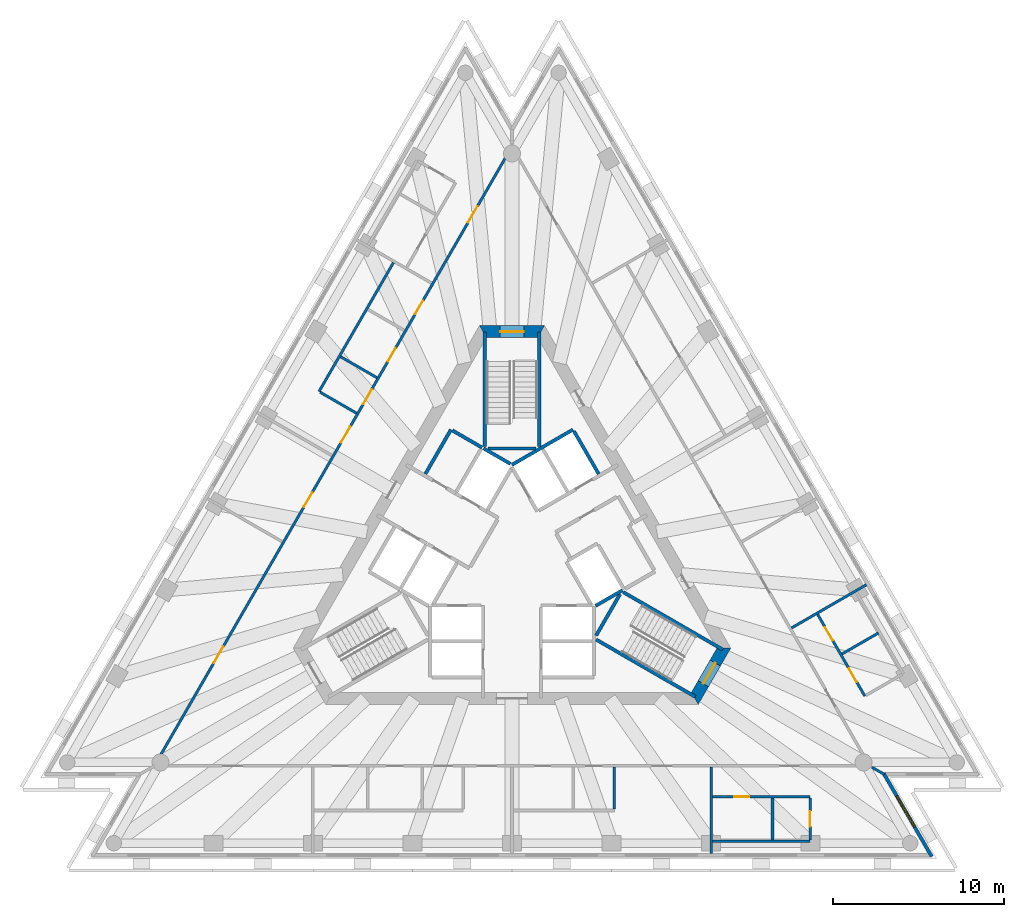
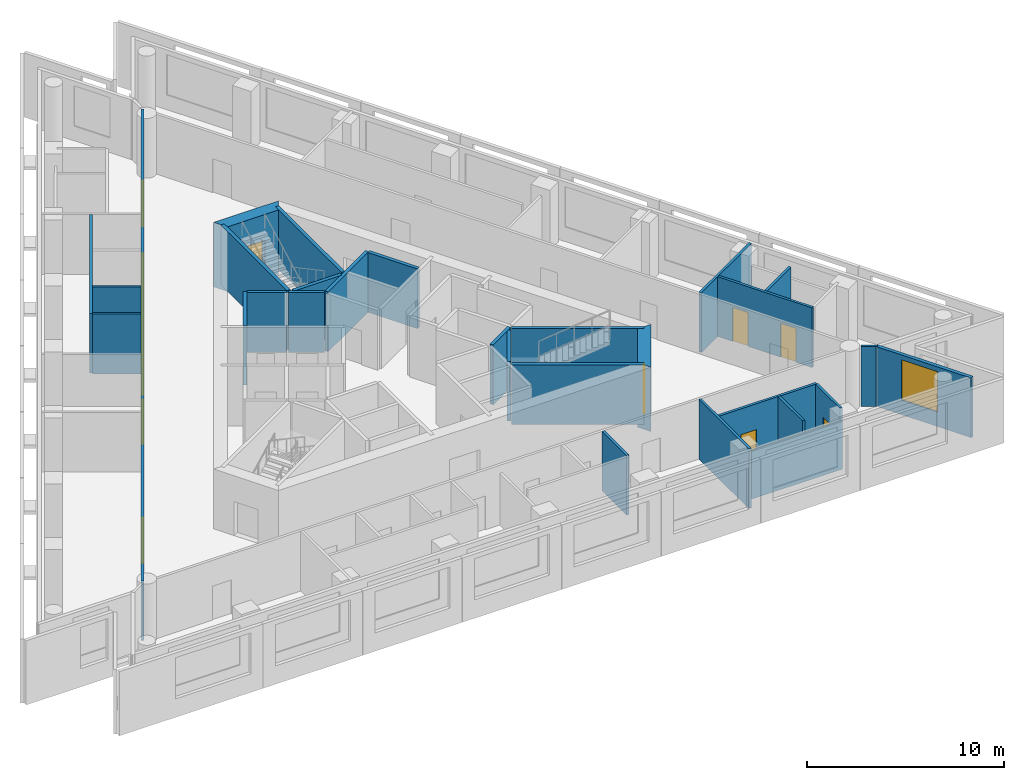
# One storey, part 5 of 10: 29 walls, 13 doors, 1 window, 14 openings.
"""IFC4 building model written with IfcOpenShell, lengths in metres."""

from ifc_helpers import new_model, si_unit, direction, frame, frame_2d, origin, place, context, subcontext, project, spatial, polyline, rectangle, outline, extrude, material, layer, layer_set, layer_usage, type_object, element, fill, save


model = new_model("IFC4")

# Units and contexts
model_context = context("Model", 3, precision=1e-05, world=origin(), true_north=direction((0.0, 1.0)))
body_context = subcontext(model_context, "Body", "Model", "MODEL_VIEW")
ifc_project = project(units=[si_unit("LENGTHUNIT", "METRE"), si_unit("AREAUNIT", "SQUARE_METRE"), si_unit("VOLUMEUNIT", "CUBIC_METRE"), si_unit("PLANEANGLEUNIT", "RADIAN"), si_unit("MASSUNIT", "GRAM", prefix="KILO")], contexts=[model_context])

# Site, building, storey
site_placement = place(None, origin())
site = spatial("IfcSite", under=ifc_project, at=site_placement, CompositionType="ELEMENT")
building_placement = place(site_placement, origin())
building = spatial("IfcBuilding", under=site, at=building_placement, Name="Triada Interchange Tower", CompositionType="ELEMENT")
storey_placement = place(building_placement, frame((0.0, 0.0, 247.300048828125)))
storey = spatial("IfcBuildingStorey", under=building, at=storey_placement, Name="L58", CompositionType="ELEMENT", Elevation=247.300048828125)

# Walls
ifc_material_1 = material(Name="Concrete C30/37", Category="concrete")
ifc_layer_1 = layer(ifc_material_1, 0.199951171875)
ifc_layer_set_1 = layer_set([ifc_layer_1], Name="CORE WALL 200 EI 120")
wall_type_1 = type_object("IfcWallType", Name="CORE WALL 200 EI 120", PredefinedType="SOLIDWALL", material=ifc_layer_set_1)
wall_1_placement = place(storey_placement, frame((-0.001953125, 5.541015625, 0.0), z_axis=(0.0, 0.0, 1.0), x_axis=(0.86600155993, 0.500041296494, 0.0)))
element("IfcWall", 1, at=wall_1_placement, inside=storey, type_object=wall_type_1, Name="Wall L56 51", PredefinedType="SOLIDWALL", context=body_context, shape_type="SweptSolid", body=[
    extrude(rectangle(XDim=4.131591796875, YDim=0.199951171875, at=frame_2d((2.06591796875, 0.0))), origin(), (0.0, 0.0, 1.0), 3.699951171875),
])
wall_2_placement = place(storey_placement, frame((3.6259765625, 7.52001953125, 0.0), z_axis=(0.0, 0.0, 1.0), x_axis=(0.500060147554, -0.865990674793, 0.0)))
element("IfcWall", 2, at=wall_2_placement, inside=storey, type_object=wall_type_1, Name="Wall L56 59", PredefinedType="SOLIDWALL", context=body_context, shape_type="SweptSolid", body=[
    extrude(rectangle(XDim=2.899658203125, YDim=0.199951171875, at=frame_2d((1.44970703125, 0.0))), origin(), (0.0, 0.0, 1.0), 3.699951171875),
])
wall_3_placement = place(storey_placement, frame((4.89990234375, -2.714111328125, 0.0), z_axis=(0.0, 0.0, 1.0), x_axis=(0.865846928409, 0.500309001083, 0.0)))
element("IfcWall", 3, at=wall_3_placement, inside=storey, type_object=wall_type_1, Name="Wall L56 62", PredefinedType="SOLIDWALL", context=body_context, shape_type="SweptSolid", body=[
    extrude(rectangle(XDim=1.813232421875, YDim=0.199951171875, at=frame_2d((0.90673828125, 0.0))), origin(), (0.0, 0.0, 1.0), 3.699951171875),
])
ifc_layer_2 = layer(ifc_material_1, 0.199951171875)
ifc_layer_set_2 = layer_set([ifc_layer_2], Name="CORE WALL 200 EI 180")
wall_type_2 = type_object("IfcWallType", Name="CORE WALL 200 EI 180", PredefinedType="SOLIDWALL", material=ifc_layer_set_2)
wall_4_placement = place(storey_placement, frame((-5.075927734375, 5.009033203125, 0.0), z_axis=(0.0, 0.0, 1.0), x_axis=(0.50002537861, 0.866010750942, 0.0)))
element("IfcWall", 4, at=wall_4_placement, inside=storey, type_object=wall_type_2, Name="Wall L56 70", PredefinedType="SOLIDWALL", context=body_context, shape_type="SweptSolid", body=[
    extrude(rectangle(XDim=2.999755859375, YDim=0.199951171875, at=frame_2d((1.5, 0.0))), origin(), (0.0, 0.0, 1.0), 3.699951171875),
])
wall_5_placement = place(storey_placement, frame((-3.489013671875, 7.556884765625, 0.0), z_axis=(0.0, 0.0, 1.0), x_axis=(0.866010750942, -0.50002537861, 0.0)))
element("IfcWall", 5, at=wall_5_placement, inside=storey, type_object=wall_type_2, Name="Wall L56 71", PredefinedType="SOLIDWALL", context=body_context, shape_type="SweptSolid", body=[
    extrude(rectangle(XDim=2.0, YDim=0.199951171875, at=frame_2d((1.0, 0.0))), origin(), (0.0, 0.0, 1.0), 3.699951171875),
])
wall_6_placement = place(storey_placement, frame((-1.669921875, 6.507080078125, 0.0), z_axis=(0.0, 0.0, 1.0), x_axis=(0.865941441609, -0.500145398563, 0.0)))
element("IfcWall", 6, at=wall_6_placement, inside=storey, type_object=wall_type_2, Name="Shaft wall FF2 L56 79", PredefinedType="SOLIDWALL", context=body_context, shape_type="SweptSolid", body=[
    extrude(rectangle(XDim=1.8154296875, YDim=0.199951171875, at=frame_2d((0.90771484375, 0.0))), origin(), (0.0, 0.0, 1.0), 3.699951171875),
])
ifc_layer_3 = layer(ifc_material_1, 0.199951171875)
ifc_layer_set_3 = layer_set([ifc_layer_3], Name="CORE WALL 200 REI 240")
wall_type_3 = type_object("IfcWallType", Name="CORE WALL 200 REI 240", PredefinedType="SOLIDWALL", material=ifc_layer_set_3)
wall_7_placement = place(storey_placement, frame((1.60009765625, 6.614990234375, 0.0), z_axis=(0.0, 0.0, 1.0), x_axis=(0.0, 1.0, 0.0)))
element("IfcWall", 7, at=wall_7_placement, inside=storey, type_object=wall_type_3, Name="Wall L56 87", PredefinedType="SOLIDWALL", context=body_context, shape_type="SweptSolid", body=[
    extrude(rectangle(XDim=6.715087890625, YDim=0.199951171875, at=frame_2d((3.357421875, 0.0))), origin(), (0.0, 0.0, 1.0), 3.699951171875),
])
wall_8_placement = place(storey_placement, frame((-1.39990234375, 6.5, 0.0), z_axis=(0.0, 0.0, 1.0), x_axis=(1.0, 0.0, 0.0)))
element("IfcWall", 8, at=wall_8_placement, inside=storey, type_object=wall_type_3, Name="Wall L56 88", PredefinedType="SOLIDWALL", context=body_context, shape_type="SweptSolid", body=[
    extrude(rectangle(XDim=2.7998046875, YDim=0.199951171875, at=frame_2d((1.39990234375, 0.0))), origin(), (0.0, 0.0, 1.0), 3.699951171875),
])
wall_9_placement = place(storey_placement, frame((-1.60009765625, 6.614990234375, 0.0), z_axis=(0.0, 0.0, 1.0), x_axis=(0.0, 1.0, 0.0)))
element("IfcWall", 9, at=wall_9_placement, inside=storey, type_object=wall_type_3, Name="Wall L56 89", PredefinedType="SOLIDWALL", context=body_context, shape_type="SweptSolid", body=[
    extrude(rectangle(XDim=6.715087890625, YDim=0.199951171875, at=frame_2d((3.357421875, 0.0))), origin(), (0.0, 0.0, 1.0), 3.699951171875),
])
wall_10_placement = place(storey_placement, frame((4.928955078125, -4.693115234375, 0.0), z_axis=(0.0, 0.0, 1.0), x_axis=(0.865983344943, -0.500072840975, 0.0)))
element("IfcWall", 10, at=wall_10_placement, inside=storey, type_object=wall_type_3, Name="Wall L56 90", PredefinedType="SOLIDWALL", context=body_context, shape_type="SweptSolid", body=[
    extrude(rectangle(XDim=6.71484375, YDim=0.199951171875, at=frame_2d((3.357421875, 0.0))), origin(), (0.0, 0.0, 1.0), 3.699951171875),
])
wall_11_placement = place(storey_placement, frame((4.928955078125, -4.4619140625, 0.0), z_axis=(0.0, 0.0, 1.0), x_axis=(0.500200581029, 0.865909567298, 0.0)))
element("IfcWall", 11, at=wall_11_placement, inside=storey, type_object=wall_type_3, Name="Wall L56 91", PredefinedType="SOLIDWALL", context=body_context, shape_type="SweptSolid", body=[
    extrude(rectangle(XDim=2.799072265625, YDim=0.199951171875, at=frame_2d((1.3994140625, 0.0))), origin(), (0.0, 0.0, 1.0), 3.699951171875),
])
wall_12_placement = place(storey_placement, frame((6.529052734375, -1.922119140625, 0.0), z_axis=(0.0, 0.0, 1.0), x_axis=(0.866046323291, -0.499963764601, 0.0)))
element("IfcWall", 12, at=wall_12_placement, inside=storey, type_object=wall_type_3, Name="Wall L56 92", PredefinedType="SOLIDWALL", context=body_context, shape_type="SweptSolid", body=[
    extrude(rectangle(XDim=6.71435546875, YDim=0.199951171875, at=frame_2d((3.357177734375, 0.0))), origin(), (0.0, 0.0, 1.0), 3.699951171875),
])

# Wall, opening, door
ifc_material_2 = material(Name="Concrete C50/60", Category="concrete")
ifc_layer_4 = layer(ifc_material_2, 0.699951171875)
ifc_layer_set_4 = layer_set([ifc_layer_4], Name="Core wall C 700")
wall_type_4 = type_object("IfcWallType", Name="Core wall C 700", PredefinedType="SHEAR", material=ifc_layer_set_4)
wall_13_placement = place(storey_placement, frame((1.702880859375, 13.35009765625, -0.300048828125), z_axis=(0.0, 0.0, 1.0), x_axis=(-1.0, 0.0, 0.0)))
wall_13 = element("IfcWall", 13, at=wall_13_placement, inside=storey, type_object=wall_type_4, Name="Core wall WC01 L58", PredefinedType="SHEAR", context=body_context, shape_type="SweptSolid", body=[
    extrude(outline(polyline([(-0.201904296875, -0.35009765625), (1.703125, -0.35009765625), (3.60791015625, -0.35009765625), (3.2041015625, 0.35009765625), (1.703125, 0.35009765625), (0.201904296875, 0.35009765625), (-0.201904296875, -0.35009765625)])), origin(), (0.0, 0.0, 1.0), 4.0),
])
opening_1_placement = place(wall_13_placement, frame((1.0029296875, 0.0, 0.300048828125)))
opening_1 = element("IfcOpeningElement", 14, at=opening_1_placement, cuts=wall_13, Name="Opening D56-40", PredefinedType="OPENING", context=body_context, shape_type="SweptSolid", body=[
    extrude(rectangle(XDim=1.39990234375, YDim=2.10009765625, at=frame_2d((0.699951171875, 1.050048828125))), frame((0.0, 0.360107421875, 0.0), z_axis=(0.0, -1.0, 0.0), x_axis=(1.0, 0.0, 0.0)), (0.0, 0.0, 1.0), 0.72021484375),
])
ifc_material_3 = material(Name="Steel S235 door leaf", Category="steel")
door_type_1 = type_object("IfcDoorType", Name="STAIR DOOR 1400 EI2 90-C5S200", OperationType="DOUBLE_DOOR_SINGLE_SWING", PredefinedType="DOOR", material=ifc_material_3)
door_1_placement = place(opening_1_placement, origin())
door_1 = element("IfcDoor", 15, at=door_1_placement, inside=storey, type_object=door_type_1, Name="Door D56-40 L58", OperationType="DOUBLE_DOOR_SINGLE_SWING", OverallHeight=2.10009765625, OverallWidth=1.39990234375, PredefinedType="DOOR", context=body_context, shape_type="SweptSolid", body=[
    extrude(rectangle(XDim=1.39990234375, YDim=2.10009765625, at=frame_2d((0.699951171875, 1.050048828125))), frame((0.0, 0.02490234375, 0.0), z_axis=(0.0, -1.0, 0.0), x_axis=(1.0, 0.0, 0.0)), (0.0, 0.0, 1.0), 0.050048828125),
])
fill(opening_1, door_1)

wall_14_placement = place(storey_placement, frame((10.7099609375, -8.14990234375, -0.300048828125), z_axis=(0.0, 0.0, 1.0), x_axis=(0.49999337185, 0.866029230515, 0.0)))
wall_14 = element("IfcWall", 16, at=wall_14_placement, inside=storey, type_object=wall_type_4, Name="Core wall WC05 L58", PredefinedType="SHEAR", context=body_context, shape_type="SweptSolid", body=[
    extrude(outline(polyline([(-0.201904296875, -0.35009765625), (1.703125, -0.35009765625), (3.60791015625, -0.35009765625), (3.2041015625, 0.35009765625), (1.703125, 0.35009765625), (0.201904296875, 0.35009765625), (-0.201904296875, -0.35009765625)])), origin(), (0.0, 0.0, 1.0), 4.0),
])
opening_2_placement = place(wall_14_placement, frame((1.0029296875, 0.0, 0.300048828125)))
opening_2 = element("IfcOpeningElement", 17, at=opening_2_placement, cuts=wall_14, Name="Opening D56-42", PredefinedType="OPENING", context=body_context, shape_type="SweptSolid", body=[
    extrude(rectangle(XDim=1.39990234375, YDim=2.10009765625, at=frame_2d((0.699951171875, 1.050048828125))), frame((0.0, 0.360107421875, 0.0), z_axis=(0.0, -1.0, 0.0), x_axis=(1.0, 0.0, 0.0)), (0.0, 0.0, 1.0), 0.72021484375),
])
door_2_placement = place(opening_2_placement, origin())
door_2 = element("IfcDoor", 18, at=door_2_placement, inside=storey, type_object=door_type_1, Name="Door D56-42 L58", OperationType="DOUBLE_DOOR_SINGLE_SWING", OverallHeight=2.10009765625, OverallWidth=1.39990234375, PredefinedType="DOOR", context=body_context, shape_type="SweptSolid", body=[
    extrude(rectangle(XDim=1.39990234375, YDim=2.10009765625, at=frame_2d((0.699951171875, 1.050048828125))), frame((0.0, 0.02490234375, 0.0), z_axis=(0.0, -1.0, 0.0), x_axis=(1.0, 0.0, 0.0)), (0.0, 0.0, 1.0), 0.050048828125),
])
fill(opening_2, door_2)

# Wall, opening, window
ifc_material_4 = material(Name="Cement board")
ifc_layer_5 = layer(ifc_material_4, 0.02001953125, Name="Cement board cladding")
ifc_material_5 = material(Name="Sheathing board")
ifc_layer_6 = layer(ifc_material_5, 0.014892578125, Name="Sheathing board")
ifc_material_6 = material(Name="Mineral wool")
ifc_layer_7 = layer(ifc_material_6, 0.14990234375, Name="Mineral wool between steel studs")
ifc_material_7 = material(Name="Gypsum board")
ifc_layer_8 = layer(ifc_material_7, 0.014892578125, Name="Plasterboard lining")
ifc_layer_set_5 = layer_set([ifc_layer_5, ifc_layer_6, ifc_layer_7, ifc_layer_8], Name="External wall 200")
ifc_layer_usage = layer_usage(ifc_layer_set_5, "AXIS2", "POSITIVE", -0.10009765625)
wall_type_5 = type_object("IfcWallType", Name="External wall 200", PredefinedType="ELEMENTEDWALL", material=ifc_layer_set_5)
wall_15_placement = place(storey_placement, frame((24.587890625, -17.402099609375, 0.0), z_axis=(0.0, 0.0, 1.0), x_axis=(-0.500033107516, 0.866006288307, 0.0)))
wall_15 = element("IfcWall", 19, at=wall_15_placement, inside=storey, type_object=wall_type_5, material=ifc_layer_usage, Name="External wall L58 SE-1", PredefinedType="ELEMENTEDWALL", context=body_context, shape_type="SweptSolid", body=[
    extrude(rectangle(XDim=5.62353515625, YDim=0.199951171875, at=frame_2d((2.811767578125, 0.0))), origin(), (0.0, 0.0, 1.0), 3.699951171875),
])
opening_3_placement = place(wall_15_placement, frame((1.989990234375, 0.0, 0.89990234375)))
opening_3 = element("IfcOpeningElement", 20, at=opening_3_placement, cuts=wall_15, Name="Opening WC19", PredefinedType="OPENING", context=body_context, shape_type="SweptSolid", body=[
    extrude(rectangle(XDim=2.10009765625, YDim=2.5, at=frame_2d((1.050048828125, 1.25))), frame((0.0, 0.10986328125, 0.0), z_axis=(0.0, -1.0, 0.0), x_axis=(1.0, 0.0, 0.0)), (0.0, 0.0, 1.0), 0.219970703125),
])
ifc_material_8 = material(Name="Double glazed aluminium window", Category="aluminium")
window_type = type_object("IfcWindowType", Name="Ribbon window C pocket", PartitioningType="SINGLE_PANEL", PredefinedType="WINDOW", material=ifc_material_8)
window_placement = place(opening_3_placement, origin())
window = element("IfcWindow", 21, at=window_placement, inside=storey, type_object=window_type, Name="Window L58 SE-1 1", OverallHeight=2.5, OverallWidth=2.10009765625, PartitioningType="SINGLE_PANEL", PredefinedType="WINDOW", context=body_context, shape_type="SweptSolid", body=[
    extrude(rectangle(XDim=2.10009765625, YDim=2.5, at=frame_2d((1.050048828125, 1.25))), frame((0.0, 0.030029296875, 0.0), z_axis=(0.0, -1.0, 0.0), x_axis=(1.0, 0.0, 0.0)), (0.0, 0.0, 1.0), 0.06005859375),
])
fill(opening_3, window)

# Wall, openings, doors
ifc_material_9 = material(Name="Gypsum board partition")
ifc_layer_9 = layer(ifc_material_9, 0.14990234375)
ifc_layer_set_6 = layer_set([ifc_layer_9], Name="PARTITION 150 EI 180")
wall_type_6 = type_object("IfcWallType", Name="PARTITION 150 EI 180", PredefinedType="PARTITIONING", material=ifc_layer_set_6)
wall_16_placement = place(storey_placement, frame((-20.883056640625, -11.969970703125, 0.0), z_axis=(0.0, 0.0, 1.0), x_axis=(0.500006150555, 0.866021852731, 0.0)))
wall_16 = element("IfcWall", 22, at=wall_16_placement, inside=storey, type_object=wall_type_6, Name="Wall L56 4", PredefinedType="PARTITIONING", context=body_context, shape_type="SweptSolid", body=[
    extrude(rectangle(XDim=41.765625, YDim=0.14990234375, at=frame_2d((20.8828125, 0.0))), origin(), (0.0, 0.0, 1.0), 3.699951171875),
])
opening_4_placement = place(wall_16_placement, frame((36.615966796875, 0.0, 0.0)))
opening_4 = element("IfcOpeningElement", 23, at=opening_4_placement, cuts=wall_16, Name="Opening D56-30", PredefinedType="OPENING", context=body_context, shape_type="SweptSolid", body=[
    extrude(rectangle(XDim=1.10009765625, YDim=2.10009765625, at=frame_2d((0.550048828125, 1.050048828125))), frame((0.0, 0.0849609375, 0.0), z_axis=(0.0, -1.0, 0.0), x_axis=(1.0, 0.0, 0.0)), (0.0, 0.0, 1.0), 0.169921875),
])
opening_5_placement = place(wall_16_placement, frame((21.722900390625, 0.0, 0.0)))
opening_5 = element("IfcOpeningElement", 24, at=opening_5_placement, cuts=wall_16, Name="Opening D56-33", PredefinedType="OPENING", context=body_context, shape_type="SweptSolid", body=[
    extrude(rectangle(XDim=1.10009765625, YDim=2.10009765625, at=frame_2d((0.550048828125, 1.050048828125))), frame((0.0, 0.0849609375, 0.0), z_axis=(0.0, -1.0, 0.0), x_axis=(1.0, 0.0, 0.0)), (0.0, 0.0, 1.0), 0.169921875),
])
opening_6_placement = place(wall_16_placement, frame((30.423095703125, 0.0, 0.0)))
opening_6 = element("IfcOpeningElement", 25, at=opening_6_placement, cuts=wall_16, Name="Opening D56-34", PredefinedType="OPENING", context=body_context, shape_type="SweptSolid", body=[
    extrude(rectangle(XDim=0.89990234375, YDim=2.10009765625, at=frame_2d((0.449951171875, 1.050048828125))), frame((0.0, 0.0849609375, 0.0), z_axis=(0.0, -1.0, 0.0), x_axis=(1.0, 0.0, 0.0)), (0.0, 0.0, 1.0), 0.169921875),
])
opening_7_placement = place(wall_16_placement, frame((27.222900390625, 0.0, 0.0)))
opening_7 = element("IfcOpeningElement", 26, at=opening_7_placement, cuts=wall_16, Name="Opening D56-35", PredefinedType="OPENING", context=body_context, shape_type="SweptSolid", body=[
    extrude(rectangle(XDim=0.89990234375, YDim=2.10009765625, at=frame_2d((0.449951171875, 1.050048828125))), frame((0.0, 0.0849609375, 0.0), z_axis=(0.0, -1.0, 0.0), x_axis=(1.0, 0.0, 0.0)), (0.0, 0.0, 1.0), 0.169921875),
])
opening_8_placement = place(wall_16_placement, frame((24.322998046875, 0.0, 0.0)))
opening_8 = element("IfcOpeningElement", 27, at=opening_8_placement, cuts=wall_16, Name="Opening D56-36", PredefinedType="OPENING", context=body_context, shape_type="SweptSolid", body=[
    extrude(rectangle(XDim=1.0, YDim=2.10009765625, at=frame_2d((0.5, 1.050048828125))), frame((0.0, 0.0849609375, 0.0), z_axis=(0.0, -1.0, 0.0), x_axis=(1.0, 0.0, 0.0)), (0.0, 0.0, 1.0), 0.169921875),
])
opening_9_placement = place(wall_16_placement, frame((17.35791015625, 0.0, 0.0)))
opening_9 = element("IfcOpeningElement", 28, at=opening_9_placement, cuts=wall_16, Name="Opening D56-37", PredefinedType="OPENING", context=body_context, shape_type="SweptSolid", body=[
    extrude(rectangle(XDim=1.0, YDim=2.10009765625, at=frame_2d((0.5, 1.050048828125))), frame((0.0, 0.0849609375, 0.0), z_axis=(0.0, -1.0, 0.0), x_axis=(1.0, 0.0, 0.0)), (0.0, 0.0, 1.0), 0.169921875),
])
opening_10_placement = place(wall_16_placement, frame((6.824951171875, 0.0, 0.0)))
opening_10 = element("IfcOpeningElement", 29, at=opening_10_placement, cuts=wall_16, Name="Opening D56-38", PredefinedType="OPENING", context=body_context, shape_type="SweptSolid", body=[
    extrude(rectangle(XDim=1.10009765625, YDim=2.10009765625, at=frame_2d((0.550048828125, 1.050048828125))), frame((0.0, 0.0849609375, 0.0), z_axis=(0.0, -1.0, 0.0), x_axis=(1.0, 0.0, 0.0)), (0.0, 0.0, 1.0), 0.169921875),
])
door_type_2 = type_object("IfcDoorType", Name="ROOM DOOR 1000 EI2 90-C5S200", OperationType="NOTDEFINED", PredefinedType="DOOR", material=ifc_material_3)
door_3_placement = place(opening_8_placement, origin())
door_3 = element("IfcDoor", 30, at=door_3_placement, inside=storey, type_object=door_type_2, Name="Door D56-36 L58", OperationType="SINGLE_SWING_RIGHT", OverallHeight=2.10009765625, OverallWidth=1.0, PredefinedType="DOOR", context=body_context, shape_type="SweptSolid", body=[
    extrude(rectangle(XDim=1.0, YDim=2.10009765625, at=frame_2d((0.5, 1.050048828125))), frame((0.0, 0.02490234375, 0.0), z_axis=(0.0, -1.0, 0.0), x_axis=(1.0, 0.0, 0.0)), (0.0, 0.0, 1.0), 0.050048828125),
])
fill(opening_8, door_3)
door_4_placement = place(opening_9_placement, origin())
door_4 = element("IfcDoor", 31, at=door_4_placement, inside=storey, type_object=door_type_2, Name="Door D56-37 L58", OperationType="SINGLE_SWING_RIGHT", OverallHeight=2.10009765625, OverallWidth=1.0, PredefinedType="DOOR", context=body_context, shape_type="SweptSolid", body=[
    extrude(rectangle(XDim=1.0, YDim=2.10009765625, at=frame_2d((0.5, 1.050048828125))), frame((0.0, 0.02490234375, 0.0), z_axis=(0.0, -1.0, 0.0), x_axis=(1.0, 0.0, 0.0)), (0.0, 0.0, 1.0), 0.050048828125),
])
fill(opening_9, door_4)
door_type_3 = type_object("IfcDoorType", Name="ROOM DOOR 900 EI2 90-C5S200", OperationType="NOTDEFINED", PredefinedType="DOOR", material=ifc_material_3)
door_5_placement = place(opening_6_placement, origin())
door_5 = element("IfcDoor", 32, at=door_5_placement, inside=storey, type_object=door_type_3, Name="Door D56-34 L58", OperationType="SINGLE_SWING_LEFT", OverallHeight=2.10009765625, OverallWidth=0.89990234375, PredefinedType="DOOR", context=body_context, shape_type="SweptSolid", body=[
    extrude(rectangle(XDim=0.89990234375, YDim=2.10009765625, at=frame_2d((0.449951171875, 1.050048828125))), frame((0.0, 0.02490234375, 0.0), z_axis=(0.0, -1.0, 0.0), x_axis=(1.0, 0.0, 0.0)), (0.0, 0.0, 1.0), 0.050048828125),
])
fill(opening_6, door_5)
door_6_placement = place(opening_7_placement, origin())
door_6 = element("IfcDoor", 33, at=door_6_placement, inside=storey, type_object=door_type_3, Name="Door D56-35 L58", OperationType="SINGLE_SWING_LEFT", OverallHeight=2.10009765625, OverallWidth=0.89990234375, PredefinedType="DOOR", context=body_context, shape_type="SweptSolid", body=[
    extrude(rectangle(XDim=0.89990234375, YDim=2.10009765625, at=frame_2d((0.449951171875, 1.050048828125))), frame((0.0, 0.02490234375, 0.0), z_axis=(0.0, -1.0, 0.0), x_axis=(1.0, 0.0, 0.0)), (0.0, 0.0, 1.0), 0.050048828125),
])
fill(opening_7, door_6)
door_type_4 = type_object("IfcDoorType", Name="TENANCY ENTRANCE DOOR 1100 EI2 90-C5S200", OperationType="NOTDEFINED", PredefinedType="DOOR", material=ifc_material_3)
door_7_placement = place(opening_4_placement, origin())
door_7 = element("IfcDoor", 34, at=door_7_placement, inside=storey, type_object=door_type_4, Name="Door D56-30 L58", OperationType="SINGLE_SWING_RIGHT", OverallHeight=2.10009765625, OverallWidth=1.10009765625, PredefinedType="DOOR", context=body_context, shape_type="SweptSolid", body=[
    extrude(rectangle(XDim=1.10009765625, YDim=2.10009765625, at=frame_2d((0.550048828125, 1.050048828125))), frame((0.0, 0.02490234375, 0.0), z_axis=(0.0, -1.0, 0.0), x_axis=(1.0, 0.0, 0.0)), (0.0, 0.0, 1.0), 0.050048828125),
])
fill(opening_4, door_7)
door_8_placement = place(opening_5_placement, origin())
door_8 = element("IfcDoor", 35, at=door_8_placement, inside=storey, type_object=door_type_4, Name="Door D56-33 L58", OperationType="SINGLE_SWING_LEFT", OverallHeight=2.10009765625, OverallWidth=1.10009765625, PredefinedType="DOOR", context=body_context, shape_type="SweptSolid", body=[
    extrude(rectangle(XDim=1.10009765625, YDim=2.10009765625, at=frame_2d((0.550048828125, 1.050048828125))), frame((0.0, 0.02490234375, 0.0), z_axis=(0.0, -1.0, 0.0), x_axis=(1.0, 0.0, 0.0)), (0.0, 0.0, 1.0), 0.050048828125),
])
fill(opening_5, door_8)
door_9_placement = place(opening_10_placement, origin())
door_9 = element("IfcDoor", 36, at=door_9_placement, inside=storey, type_object=door_type_4, Name="Door D56-38 L58", OperationType="SINGLE_SWING_LEFT", OverallHeight=2.10009765625, OverallWidth=1.10009765625, PredefinedType="DOOR", context=body_context, shape_type="SweptSolid", body=[
    extrude(rectangle(XDim=1.10009765625, YDim=2.10009765625, at=frame_2d((0.550048828125, 1.050048828125))), frame((0.0, 0.02490234375, 0.0), z_axis=(0.0, -1.0, 0.0), x_axis=(1.0, 0.0, 0.0)), (0.0, 0.0, 1.0), 0.050048828125),
])
fill(opening_10, door_9)

# Walls
wall_17_placement = place(storey_placement, frame((21.0869140625, -12.175048828125, 0.0), z_axis=(0.0, 0.0, 1.0), x_axis=(0.866078617559, -0.49990781971, 0.0)))
element("IfcWall", 37, at=wall_17_placement, inside=storey, type_object=wall_type_6, Name="Wall L56 7", PredefinedType="PARTITIONING", context=body_context, shape_type="SweptSolid", body=[
    extrude(rectangle(XDim=0.836181640625, YDim=0.14990234375, at=frame_2d((0.41796875, 0.0))), origin(), (0.0, 0.0, 1.0), 3.699951171875),
])
wall_18_placement = place(storey_placement, frame((-11.30810546875, 9.8369140625, 0.0), z_axis=(0.0, 0.0, 1.0), x_axis=(0.499958218515, 0.866049524992, 0.0)))
element("IfcWall", 38, at=wall_18_placement, inside=storey, type_object=wall_type_6, Name="Wall L56 11", PredefinedType="PARTITIONING", context=body_context, shape_type="SweptSolid", body=[
    extrude(rectangle(XDim=8.724853515625, YDim=0.14990234375, at=frame_2d((4.3623046875, 0.0))), origin(), (0.0, 0.0, 1.0), 3.699951171875),
])
for number, where, z_axis, x_axis, name in (
    (39, (-11.243896484375, 9.800048828125, 0.0), (0.0, 0.0, 1.0), (0.866099746043, -0.499871213318, 0.0), "Wall L56 12"),
    (40, (-10.0439453125, 11.8779296875, 0.0), (0.0, 0.0, 1.0), (0.86612451545, -0.499828294254, 0.0), "Wall L56 13"),
):
    element("IfcWall", number, at=place(storey_placement, frame(where, z_axis=z_axis, x_axis=x_axis)), inside=storey, type_object=wall_type_6, Name=name, PredefinedType="PARTITIONING", context=body_context, shape_type="SweptSolid", body=[
        extrude(rectangle(XDim=2.462646484375, YDim=0.14990234375, at=frame_2d((1.2314453125, 0.0))), origin(), (0.0, 0.0, 1.0), 3.699951171875),
    ])
wall_19_placement = place(storey_placement, frame((6.0, -14.636962890625, 0.0), z_axis=(0.0, 0.0, 1.0), x_axis=(0.0, 1.0, 0.0)))
element("IfcWall", 41, at=wall_19_placement, inside=storey, type_object=wall_type_6, Name="Wall L56 22", PredefinedType="PARTITIONING", context=body_context, shape_type="SweptSolid", body=[
    extrude(rectangle(XDim=2.4619140625, YDim=0.14990234375, at=frame_2d((1.23095703125, 0.0))), origin(), (0.0, 0.0, 1.0), 3.699951171875),
])
wall_20_placement = place(storey_placement, frame((11.6650390625, -17.243896484375, 0.0), z_axis=(0.0, 0.0, 1.0), x_axis=(0.0, 1.0, 0.0)))
element("IfcWall", 42, at=wall_20_placement, inside=storey, type_object=wall_type_6, Name="Wall L56 25", PredefinedType="PARTITIONING", context=body_context, shape_type="SweptSolid", body=[
    extrude(rectangle(XDim=5.06884765625, YDim=0.14990234375, at=frame_2d((2.534423828125, 0.0))), origin(), (0.0, 0.0, 1.0), 3.699951171875),
])
wall_21_placement = place(storey_placement, frame((16.376953125, -4.01611328125, 0.0), z_axis=(0.0, 0.0, 1.0), x_axis=(0.86598187042, 0.500075394419, 0.0)))
element("IfcWall", 43, at=wall_21_placement, inside=storey, type_object=wall_type_6, Name="Wall L56 27", PredefinedType="PARTITIONING", context=body_context, shape_type="SweptSolid", body=[
    extrude(rectangle(XDim=5.069580078125, YDim=0.14990234375, at=frame_2d((2.53466796875, 0.0))), origin(), (0.0, 0.0, 1.0), 3.699951171875),
])
ifc_layer_10 = layer(ifc_material_9, 0.14990234375)
ifc_layer_set_7 = layer_set([ifc_layer_10], Name="PARTITION 150 EI 90")
wall_type_7 = type_object("IfcWallType", Name="PARTITION 150 EI 90", PredefinedType="PARTITIONING", material=ifc_layer_set_7)
wall_22_placement = place(storey_placement, frame((11.739990234375, -16.511962890625, 0.0), z_axis=(0.0, 0.0, 1.0), x_axis=(1.0, 0.0, 0.0)))
element("IfcWall", 44, at=wall_22_placement, inside=storey, type_object=wall_type_7, Name="Wall L56 33", PredefinedType="PARTITIONING", context=body_context, shape_type="SweptSolid", body=[
    extrude(rectangle(XDim=5.72509765625, YDim=0.14990234375, at=frame_2d((2.862548828125, 0.0))), origin(), (0.0, 0.0, 1.0), 2.949951171875),
])

# Wall, opening, door
wall_23_placement = place(storey_placement, frame((11.739990234375, -13.89990234375, 0.0), z_axis=(0.0, 0.0, 1.0), x_axis=(1.0, 0.0, 0.0)))
wall_23 = element("IfcWall", 45, at=wall_23_placement, inside=storey, type_object=wall_type_7, Name="Wall L56 34", PredefinedType="PARTITIONING", context=body_context, shape_type="SweptSolid", body=[
    extrude(rectangle(XDim=5.72509765625, YDim=0.14990234375, at=frame_2d((2.862548828125, 0.0))), origin(), (0.0, 0.0, 1.0), 3.699951171875),
])
opening_11_placement = place(wall_23_placement, frame((1.27490234375, 0.0, 0.0)))
opening_11 = element("IfcOpeningElement", 46, at=opening_11_placement, cuts=wall_23, Name="Opening D56-20", PredefinedType="OPENING", context=body_context, shape_type="SweptSolid", body=[
    extrude(rectangle(XDim=0.89990234375, YDim=2.10009765625, at=frame_2d((0.449951171875, 1.050048828125))), frame((0.0, 0.0849609375, 0.0), z_axis=(0.0, -1.0, 0.0), x_axis=(1.0, 0.0, 0.0)), (0.0, 0.0, 1.0), 0.169921875),
])
door_type_5 = type_object("IfcDoorType", Name="ROOM DOOR 900 EI2 45-C5S200", OperationType="NOTDEFINED", PredefinedType="DOOR", material=ifc_material_3)
door_10_placement = place(opening_11_placement, origin())
door_10 = element("IfcDoor", 47, at=door_10_placement, inside=storey, type_object=door_type_5, Name="Door D56-20 L58", OperationType="SINGLE_SWING_RIGHT", OverallHeight=2.10009765625, OverallWidth=0.89990234375, PredefinedType="DOOR", context=body_context, shape_type="SweptSolid", body=[
    extrude(rectangle(XDim=0.89990234375, YDim=2.10009765625, at=frame_2d((0.449951171875, 1.050048828125))), frame((0.0, 0.02490234375, 0.0), z_axis=(0.0, -1.0, 0.0), x_axis=(1.0, 0.0, 0.0)), (0.0, 0.0, 1.0), 0.050048828125),
])
fill(opening_11, door_10)

wall_24_placement = place(storey_placement, frame((17.465087890625, -16.43701171875, 0.0), z_axis=(0.0, 0.0, 1.0), x_axis=(0.0, 1.0, 0.0)))
wall_24 = element("IfcWall", 48, at=wall_24_placement, inside=storey, type_object=wall_type_7, Name="Wall L56 35", PredefinedType="PARTITIONING", context=body_context, shape_type="SweptSolid", body=[
    extrude(rectangle(XDim=2.4619140625, YDim=0.14990234375, at=frame_2d((1.23095703125, 0.0))), origin(), (0.0, 0.0, 1.0), 3.699951171875),
])
opening_12_placement = place(wall_24_placement, frame((0.787109375, 0.0, 0.0)))
opening_12 = element("IfcOpeningElement", 49, at=opening_12_placement, cuts=wall_24, Name="Opening D56-21", PredefinedType="OPENING", context=body_context, shape_type="SweptSolid", body=[
    extrude(rectangle(XDim=0.89990234375, YDim=2.10009765625, at=frame_2d((0.449951171875, 1.050048828125))), frame((0.0, 0.0849609375, 0.0), z_axis=(0.0, -1.0, 0.0), x_axis=(1.0, 0.0, 0.0)), (0.0, 0.0, 1.0), 0.169921875),
])
door_type_6 = type_object("IfcDoorType", Name="SERVICE DOOR 900 EI2 45-C5S200", OperationType="NOTDEFINED", PredefinedType="DOOR", material=ifc_material_3)
door_11_placement = place(opening_12_placement, origin())
door_11 = element("IfcDoor", 50, at=door_11_placement, inside=storey, type_object=door_type_6, Name="Door D56-21 L58", OperationType="SINGLE_SWING_LEFT", OverallHeight=2.10009765625, OverallWidth=0.89990234375, PredefinedType="DOOR", context=body_context, shape_type="SweptSolid", body=[
    extrude(rectangle(XDim=0.89990234375, YDim=2.10009765625, at=frame_2d((0.449951171875, 1.050048828125))), frame((0.0, 0.02490234375, 0.0), z_axis=(0.0, -1.0, 0.0), x_axis=(1.0, 0.0, 0.0)), (0.0, 0.0, 1.0), 0.050048828125),
])
fill(opening_12, door_11)

# Walls
for number, where, z_axis, x_axis, name in (
    (51, (15.264892578125, -16.43701171875, 0.0), (0.0, 0.0, 1.0), (0.0, 1.0, 0.0), "Wall L56 36"),
    (52, (19.3359375, -5.5400390625, 0.0), (0.0, 0.0, 1.0), (0.866025399526, 0.500000007376, 0.0), "Wall L56 37"),
):
    element("IfcWall", number, at=place(storey_placement, frame(where, z_axis=z_axis, x_axis=x_axis)), inside=storey, type_object=wall_type_7, Name=name, PredefinedType="PARTITIONING", context=body_context, shape_type="SweptSolid", body=[
        extrude(rectangle(XDim=2.4619140625, YDim=0.14990234375, at=frame_2d((1.23095703125, 0.0))), origin(), (0.0, 0.0, 1.0), 3.699951171875),
    ])

# Wall, openings, doors
wall_25_placement = place(storey_placement, frame((17.907958984375, -3.218017578125, 0.0), z_axis=(0.0, 0.0, 1.0), x_axis=(0.500050108258, -0.865996471835, 0.0)))
wall_25 = element("IfcWall", 53, at=wall_25_placement, inside=storey, type_object=wall_type_7, Name="Wall L56 39", PredefinedType="PARTITIONING", context=body_context, shape_type="SweptSolid", body=[
    extrude(rectangle(XDim=5.525390625, YDim=0.14990234375, at=frame_2d((2.7626953125, 0.0))), origin(), (0.0, 0.0, 1.0), 3.699951171875),
])
opening_13_placement = place(wall_25_placement, frame((0.875, 0.0, 0.0)))
opening_13 = element("IfcOpeningElement", 54, at=opening_13_placement, cuts=wall_25, Name="Opening D56-23", PredefinedType="OPENING", context=body_context, shape_type="SweptSolid", body=[
    extrude(rectangle(XDim=0.89990234375, YDim=2.10009765625, at=frame_2d((0.449951171875, 1.050048828125))), frame((0.0, 0.0849609375, 0.0), z_axis=(0.0, -1.0, 0.0), x_axis=(1.0, 0.0, 0.0)), (0.0, 0.0, 1.0), 0.169921875),
])
opening_14_placement = place(wall_25_placement, frame((3.675048828125, 0.0, 0.0)))
opening_14 = element("IfcOpeningElement", 55, at=opening_14_placement, cuts=wall_25, Name="Opening D56-24", PredefinedType="OPENING", context=body_context, shape_type="SweptSolid", body=[
    extrude(rectangle(XDim=0.89990234375, YDim=2.10009765625, at=frame_2d((0.449951171875, 1.050048828125))), frame((0.0, 0.0849609375, 0.0), z_axis=(0.0, -1.0, 0.0), x_axis=(1.0, 0.0, 0.0)), (0.0, 0.0, 1.0), 0.169921875),
])
door_12_placement = place(opening_13_placement, origin())
door_12 = element("IfcDoor", 56, at=door_12_placement, inside=storey, type_object=door_type_5, Name="Door D56-23 L58", OperationType="SINGLE_SWING_LEFT", OverallHeight=2.10009765625, OverallWidth=0.89990234375, PredefinedType="DOOR", context=body_context, shape_type="SweptSolid", body=[
    extrude(rectangle(XDim=0.89990234375, YDim=2.10009765625, at=frame_2d((0.449951171875, 1.050048828125))), frame((0.0, 0.02490234375, 0.0), z_axis=(0.0, -1.0, 0.0), x_axis=(1.0, 0.0, 0.0)), (0.0, 0.0, 1.0), 0.050048828125),
])
fill(opening_13, door_12)
door_13_placement = place(opening_14_placement, origin())
door_13 = element("IfcDoor", 57, at=door_13_placement, inside=storey, type_object=door_type_5, Name="Door D56-24 L58", OperationType="SINGLE_SWING_LEFT", OverallHeight=2.10009765625, OverallWidth=0.89990234375, PredefinedType="DOOR", context=body_context, shape_type="SweptSolid", body=[
    extrude(rectangle(XDim=0.89990234375, YDim=2.10009765625, at=frame_2d((0.449951171875, 1.050048828125))), frame((0.0, 0.02490234375, 0.0), z_axis=(0.0, -1.0, 0.0), x_axis=(1.0, 0.0, 0.0)), (0.0, 0.0, 1.0), 0.050048828125),
])
fill(opening_14, door_13)

save(model, "model.ifc")
